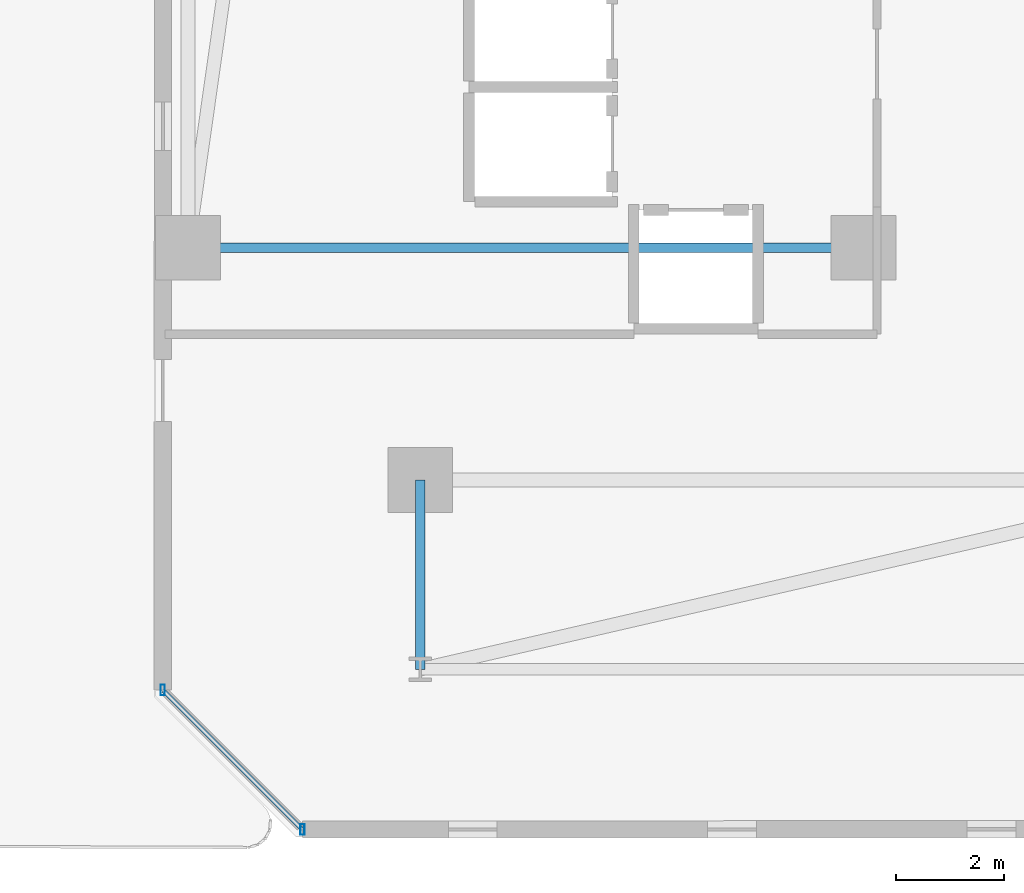
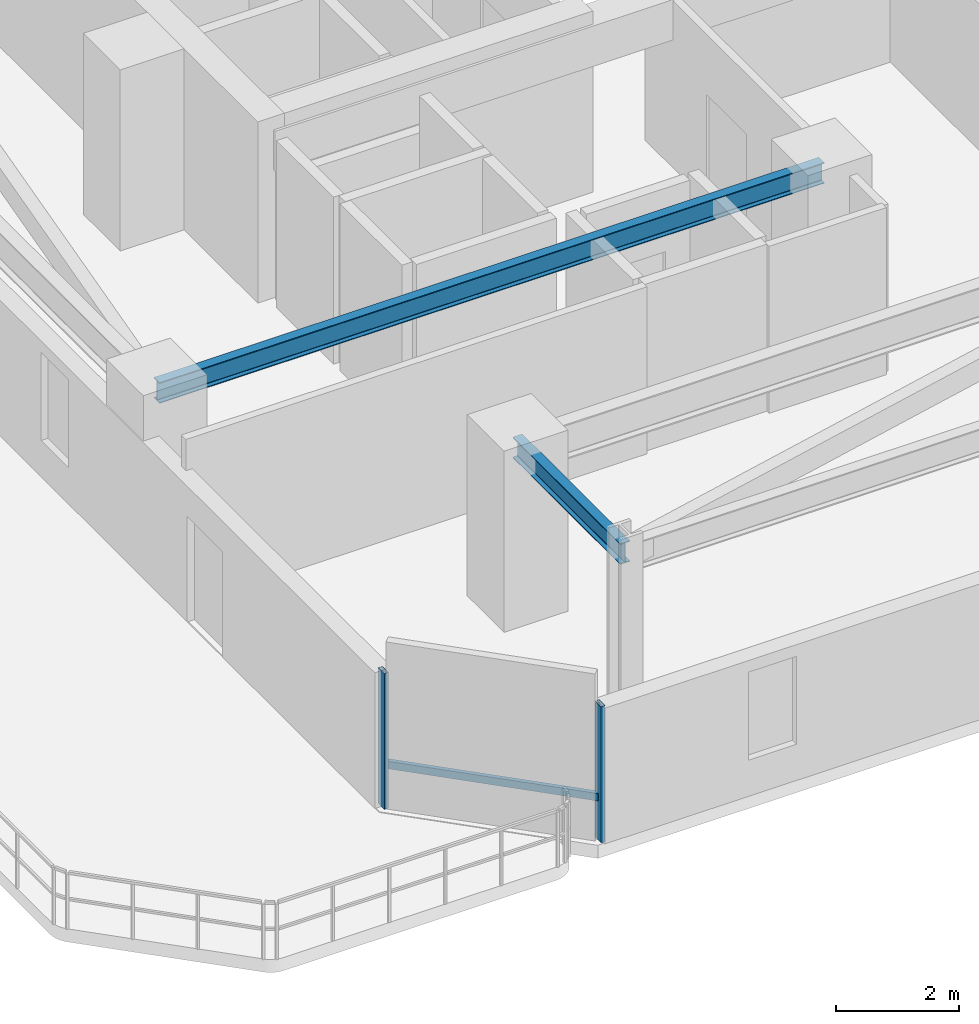
# One storey, part 10 of 31: 3 members, 2 beams, 1 element without a shape of its own.
"""IFC4 building model written with IfcOpenShell, lengths in metres."""

from ifc_helpers import new_model, si_unit, direction, frame, origin, origin_2d, place, context, subcontext, project, spatial, hollow_rectangle, i_section, extrude, material, material_profile, profile_set, type_object, element, aggregate, save


model = new_model("IFC4")

# Units and contexts
model_context = context("Model", 3, precision=1e-05, world=origin(), true_north=direction((0.0, 1.0)))
body_context = subcontext(model_context, "Body", "Model", "MODEL_VIEW")
ifc_project = project(units=[si_unit("LENGTHUNIT", "METRE"), si_unit("AREAUNIT", "SQUARE_METRE"), si_unit("VOLUMEUNIT", "CUBIC_METRE"), si_unit("PLANEANGLEUNIT", "RADIAN"), si_unit("MASSUNIT", "GRAM", prefix="KILO")], contexts=[model_context])

# Site, building, storey
site_placement = place(None, origin())
site = spatial("IfcSite", under=ifc_project, at=site_placement, CompositionType="ELEMENT")
building_placement = place(site_placement, origin())
building = spatial("IfcBuilding", under=site, at=building_placement, Name="Thornwick Lancets Civic Towers", CompositionType="ELEMENT")
storey_placement = place(building_placement, frame((0.0, 0.0, 119.699951171875)))
storey = spatial("IfcBuildingStorey", under=building, at=storey_placement, Name="L31", CompositionType="ELEMENT", Elevation=119.699951171875)

# Beams
ifc_material_1 = material(Name="Steel S355JR", Category="steel")
ifc_material_profile_1 = material_profile(ifc_material_1, i_section(OverallWidth=0.179443359375, OverallDepth=0.412841796875, WebThickness=0.009521484375, FlangeThickness=0.01611328125, FilletRadius=0.01025390625, at=origin_2d()), Name="UKB 406x178x74")
ifc_profile_set_1 = profile_set([ifc_material_profile_1], Name="Steel S355JR")
beam_type = type_object("IfcBeamType", Name="BM_JOIST_406_74", PredefinedType="JOIST", material=ifc_profile_set_1)
beam_1_placement = place(storey_placement, frame((83.699951171875, 14.0, 3.133544921875), z_axis=(-1.0, 0.0, 0.0), x_axis=(0.0, -1.0, 0.0)))
element("IfcBeam", 1, at=beam_1_placement, inside=storey, type_object=beam_type, Name="BM-RADIN-L31-B07", PredefinedType="JOIST", context=body_context, shape_type="SweptSolid", body=[
    extrude(i_section(OverallWidth=0.179443359375, OverallDepth=0.412841796875, WebThickness=0.009521484375, FlangeThickness=0.01611328125, FilletRadius=0.01025390625, at=origin_2d()), origin(), (0.0, 0.0, 1.0), 12.5),
])
beam_2_placement = place(storey_placement, frame((75.5, 9.699951171875, 3.133544921875), z_axis=(0.0, -1.0, 0.0), x_axis=(1.0, 0.0, 0.0)))
element("IfcBeam", 2, at=beam_2_placement, inside=storey, type_object=beam_type, Name="BM-RAD-L31-B12", PredefinedType="JOIST", context=body_context, shape_type="SweptSolid", body=[
    extrude(i_section(OverallWidth=0.179443359375, OverallDepth=0.412841796875, WebThickness=0.009521484375, FlangeThickness=0.01611328125, FilletRadius=0.01025390625, at=origin_2d()), origin(), (0.0, 0.0, 1.0), 3.5),
])

# Curtain wall, members
ifc_material_2 = material(Name="Mid-zone chamfered-corner unitised glass curtain wall", Category="glass")
curtain_wall_type = type_object("IfcCurtainWallType", Name="CW_SYS_04", PredefinedType="NOTDEFINED", material=ifc_material_2)
curtain_wall_placement = place(storey_placement, origin())
curtain_wall = element("IfcCurtainWall", 3, at=curtain_wall_placement, inside=storey, type_object=curtain_wall_type, Name="L31 Curtain Wall CW-L31-B-E7", PredefinedType="NOTDEFINED")
ifc_material_3 = material(Name="Thermally broken bronze aluminium S355", Category="steel")
ifc_material_profile_2 = material_profile(ifc_material_3, hollow_rectangle(XDim=0.080078125, YDim=0.199951171875, WallThickness=0.006103515625, at=origin_2d()), Name="RHS 200x80x6")
ifc_profile_set_2 = profile_set([ifc_material_profile_2], Name="Thermally broken bronze aluminium S355")
member_type_1 = type_object("IfcMemberType", Name="CW_MUL_200", PredefinedType="MULLION", material=ifc_profile_set_2)
member_1_placement = place(storey_placement, frame((70.7353515625, 5.818603515625, 0.0), z_axis=(0.0, 0.0, 1.0), x_axis=(1.0, 0.0, 0.0)))
member_1 = element("IfcMember", 4, at=member_1_placement, type_object=member_type_1, Name="CW-L31-B-E7 Mullion 0", PredefinedType="MULLION", context=body_context, shape_type="SweptSolid", body=[
    extrude(hollow_rectangle(XDim=0.080078125, YDim=0.199951171875, WallThickness=0.006103515625, at=origin_2d()), origin(), (0.0, 0.0, 1.0), 2.699951171875),
])
member_2_placement = place(storey_placement, frame((73.318603515625, 3.2353515625, 0.0), z_axis=(0.0, 0.0, 1.0), x_axis=(1.0, 0.0, 0.0)))
member_2 = element("IfcMember", 5, at=member_2_placement, type_object=member_type_1, Name="CW-L31-B-E7 Mullion 1", PredefinedType="MULLION", context=body_context, shape_type="SweptSolid", body=[
    extrude(hollow_rectangle(XDim=0.080078125, YDim=0.199951171875, WallThickness=0.006103515625, at=origin_2d()), origin(), (0.0, 0.0, 1.0), 2.699951171875),
])
ifc_material_profile_3 = material_profile(ifc_material_3, hollow_rectangle(XDim=0.074951171875, YDim=0.14990234375, WallThickness=0.0048828125, at=origin_2d()), Name="RHS 150x75x5")
ifc_profile_set_3 = profile_set([ifc_material_profile_3], Name="Thermally broken bronze aluminium S355")
member_type_2 = type_object("IfcMemberType", Name="CW_TRN_150", PredefinedType="USERDEFINED", material=ifc_profile_set_3)
member_3_placement = place(storey_placement, frame((70.74951171875, 5.804443359375, 0.85009765625), z_axis=(0.707106781187, -0.707106781187, 0.0), x_axis=(0.707106781187, 0.707106781187, 0.0)))
member_3 = element("IfcMember", 6, at=member_3_placement, type_object=member_type_2, Name="CW-L31-B-E7 Transom 0", ObjectType="TRANSOM", PredefinedType="USERDEFINED", context=body_context, shape_type="SweptSolid", body=[
    extrude(hollow_rectangle(XDim=0.074951171875, YDim=0.14990234375, WallThickness=0.0048828125, at=origin_2d()), origin(), (0.0, 0.0, 1.0), 3.61328125),
])
aggregate(curtain_wall, [member_1, member_2, member_3])

save(model, "model.ifc")
